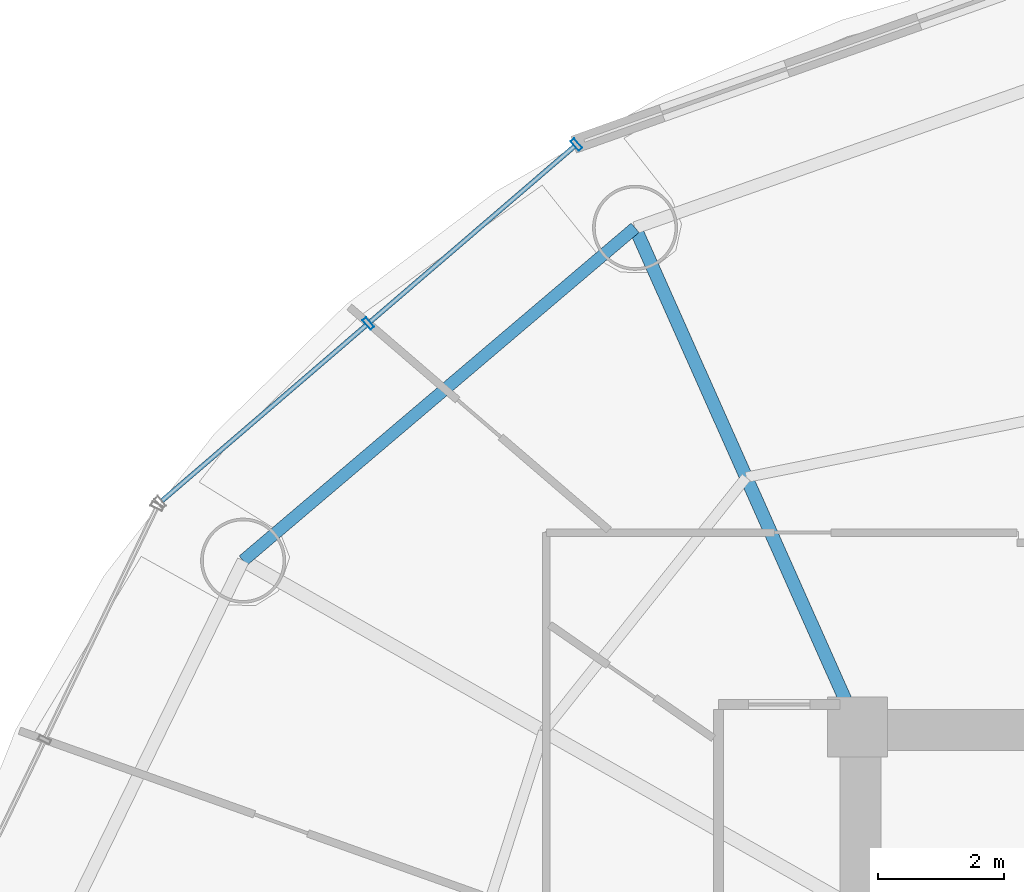
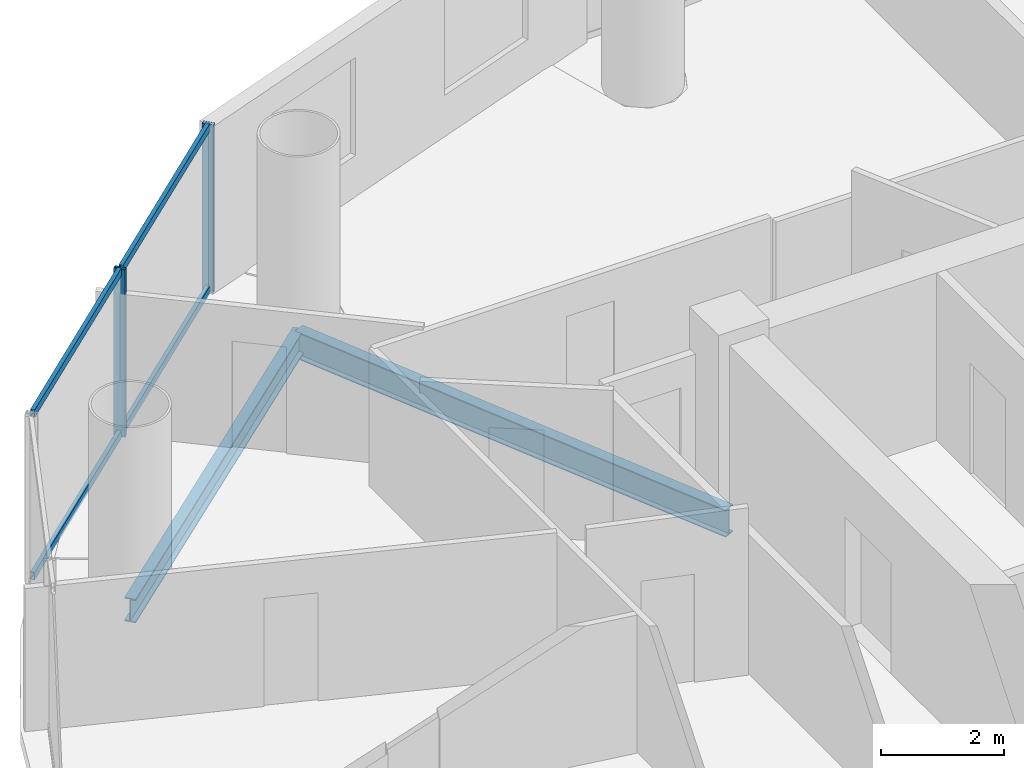
# One storey, part 14 of 26: 6 members, 2 beams, 1 element without a shape of its own.
"""IFC4 building model written with IfcOpenShell, lengths in metres."""

from ifc_helpers import new_model, si_unit, direction, frame, origin, origin_2d, place, context, subcontext, project, spatial, hollow_rectangle, i_section, extrude, source, transform, mapped, material, material_profile, profile_set, type_object, element, aggregate, save


model = new_model("IFC4")

# Units and contexts
model_context = context("Model", 3, precision=1e-05, world=origin(), true_north=direction((-0.2419218956, 0.970295726276)))
body_context = subcontext(model_context, "Body", "Model", "MODEL_VIEW")
ifc_project = project(units=[si_unit("LENGTHUNIT", "METRE"), si_unit("AREAUNIT", "SQUARE_METRE"), si_unit("VOLUMEUNIT", "CUBIC_METRE"), si_unit("PLANEANGLEUNIT", "RADIAN"), si_unit("MASSUNIT", "GRAM", prefix="KILO")], contexts=[model_context])

# Site, building, storey
site_placement = place(None, origin())
site = spatial("IfcSite", under=ifc_project, at=site_placement, CompositionType="ELEMENT")
building_placement = place(site_placement, origin())
building = spatial("IfcBuilding", under=site, at=building_placement, Name="Cobrevalo Terracotta Tower", CompositionType="ELEMENT")
storey_placement = place(building_placement, frame((0.0, 0.0, 142.60009765625)))
storey = spatial("IfcBuildingStorey", under=building, at=storey_placement, Name="L37", CompositionType="ELEMENT", Elevation=142.60009765625)

# Beams
ifc_material_1 = material(Name="Steel S355", Category="steel")
ifc_material_profile_1 = material_profile(ifc_material_1, i_section(OverallWidth=0.2109375, OverallDepth=0.5390625, WebThickness=0.01171875, FlangeThickness=0.018798828125, at=origin_2d()), Name="W 530x109")
ifc_profile_set_1 = profile_set([ifc_material_profile_1], Name="Steel S355")
beam_type_1 = type_object("IfcBeamType", Name="Structural Beam W 530x109 (Steel S355)", PredefinedType="BEAM", material=ifc_profile_set_1)
beam_1_placement = place(storey_placement, frame((25.471923828125, 42.72265625, -0.53955078125), z_axis=(0.406804395691, -0.913515289224, 0.0), x_axis=(0.913515289224, 0.406804395691, 0.0)))
element("IfcBeam", 1, at=beam_1_placement, inside=storey, type_object=beam_type_1, Name="L37 radial floor girder 06", PredefinedType="BEAM", context=body_context, shape_type="SweptSolid", body=[
    extrude(i_section(OverallWidth=0.2109375, OverallDepth=0.5390625, WebThickness=0.01171875, FlangeThickness=0.018798828125, at=origin_2d()), origin(), (0.0, 0.0, 1.0), 8.672607421875),
])
ifc_material_profile_2 = material_profile(ifc_material_1, i_section(OverallWidth=0.194091796875, OverallDepth=0.468994140625, WebThickness=0.011474609375, FlangeThickness=0.0205078125, at=origin_2d()), Name="W 460x106")
ifc_profile_set_2 = profile_set([ifc_material_profile_2], Name="Steel S355")
beam_type_2 = type_object("IfcBeamType", Name="Structural Spandrel W 460x106 (Steel S355)", PredefinedType="SPANDREL", material=ifc_profile_set_2)
beam_2_placement = place(storey_placement, frame((25.471923828125, 42.72265625, -0.504638671875), z_axis=(-0.762240337798, -0.647294112003, 0.0), x_axis=(0.647294112003, -0.762240337798, 0.0)))
element("IfcBeam", 2, at=beam_2_placement, inside=storey, type_object=beam_type_2, Name="L37 perimeter ring spandrel 06", PredefinedType="SPANDREL", context=body_context, shape_type="SweptSolid", body=[
    extrude(i_section(OverallWidth=0.194091796875, OverallDepth=0.468994140625, WebThickness=0.011474609375, FlangeThickness=0.0205078125, at=origin_2d()), origin(), (0.0, 0.0, 1.0), 8.162353515625),
])

# Curtain wall, members
ifc_material_2 = material(Name="Anodized aluminium", Category="aluminium")
curtain_wall_type = type_object("IfcCurtainWallType", Name="Mid-tower high-wind unitised curtain wall CW-U2", PredefinedType="NOTDEFINED", material=ifc_material_2)
curtain_wall_placement = place(storey_placement, origin())
curtain_wall = element("IfcCurtainWall", 3, at=curtain_wall_placement, inside=storey, type_object=curtain_wall_type, Name="L37 curtain wall CW-L37-S06", PredefinedType="NOTDEFINED")
ifc_material_profile_3 = material_profile(ifc_material_2, hollow_rectangle(XDim=0.074951171875, YDim=0.14990234375, WallThickness=0.00439453125, at=origin_2d()), Name="CWT 75x150")
ifc_profile_set_3 = profile_set([ifc_material_profile_3], Name="Anodized aluminium")
member_type_1 = type_object("IfcMemberType", Name="Tower unitised aluminium transom 75x150", PredefinedType="USERDEFINED", material=ifc_profile_set_3)
shared_shape_1 = source(origin(), body_context, "Body", "SweptSolid", [
    extrude(hollow_rectangle(XDim=0.074951171875, YDim=0.14990234375, WallThickness=0.00439453125, at=origin_2d()), origin(), (0.0, 0.0, 1.0), 4.276123046875),
])
member_1_placement = place(storey_placement, frame((24.51123046875, 44.017578125, 0.0498046875), z_axis=(-0.758417719247, -0.651768795764, 0.0), x_axis=(0.651768795764, -0.758417719247, 0.0)))
member_1 = element("IfcMember", 4, at=member_1_placement, type_object=member_type_1, Name="CW-L37-S06 transom B01-T1", ObjectType="TRANSOM", PredefinedType="USERDEFINED", context=body_context, shape_type="MappedRepresentation", body=[
    mapped(shared_shape_1, transform((0.0, 0.0, 0.0), scale=1.0)),
])
member_2_placement = place(storey_placement, frame((24.51123046875, 44.017578125, 3.27978515625), z_axis=(-0.758417719247, -0.651768795764, 0.0), x_axis=(0.651768795764, -0.758417719247, 0.0)))
member_2 = element("IfcMember", 5, at=member_2_placement, type_object=member_type_1, Name="CW-L37-S06 transom B01-T2", ObjectType="TRANSOM", PredefinedType="USERDEFINED", context=body_context, shape_type="MappedRepresentation", body=[
    mapped(shared_shape_1, transform((0.0, 0.0, 0.0), scale=1.0)),
])
member_3_placement = place(storey_placement, frame((21.207275390625, 41.17822265625, 0.0498046875), z_axis=(-0.758445941187, -0.65173595443, 0.0), x_axis=(0.65173595443, -0.758445941187, 0.0)))
member_3 = element("IfcMember", 6, at=member_3_placement, type_object=member_type_1, Name="CW-L37-S06 transom B02-T1", ObjectType="TRANSOM", PredefinedType="USERDEFINED", context=body_context, shape_type="MappedRepresentation", body=[
    mapped(shared_shape_1, transform((0.0, 0.0, 0.0), scale=1.0)),
])
member_4_placement = place(storey_placement, frame((21.207275390625, 41.17822265625, 3.27978515625), z_axis=(-0.758445941187, -0.65173595443, 0.0), x_axis=(0.65173595443, -0.758445941187, 0.0)))
member_4 = element("IfcMember", 7, at=member_4_placement, type_object=member_type_1, Name="CW-L37-S06 transom B02-T2", ObjectType="TRANSOM", PredefinedType="USERDEFINED", context=body_context, shape_type="MappedRepresentation", body=[
    mapped(shared_shape_1, transform((0.0, 0.0, 0.0), scale=1.0)),
])
ifc_material_profile_4 = material_profile(ifc_material_2, hollow_rectangle(XDim=0.074951171875, YDim=0.199951171875, WallThickness=0.0048828125, at=origin_2d()), Name="CWM 75x200")
ifc_profile_set_4 = profile_set([ifc_material_profile_4], Name="Anodized aluminium")
member_type_2 = type_object("IfcMemberType", Name="Lower/mid tower unitised mullion 75x200", PredefinedType="MULLION", material=ifc_profile_set_4)
shared_shape_2 = source(origin(), body_context, "Body", "SweptSolid", [
    extrude(hollow_rectangle(XDim=0.074951171875, YDim=0.199951171875, WallThickness=0.0048828125, at=origin_2d()), origin(), (0.0, 0.0, 1.0), 3.329833984375),
])
member_5_placement = place(storey_placement, frame((24.54150390625, 44.04345703125, 0.0), z_axis=(0.0, 0.0, 1.0), x_axis=(-0.758441546142, -0.65174106905, 0.0)))
member_5 = element("IfcMember", 8, at=member_5_placement, type_object=member_type_2, Name="CW-L37-S06 vertical mullion 01", PredefinedType="MULLION", context=body_context, shape_type="MappedRepresentation", body=[
    mapped(shared_shape_2, transform((0.0, 0.0, 0.0), scale=1.0)),
])
member_6_placement = place(storey_placement, frame((21.237548828125, 41.204345703125, 0.0), z_axis=(0.0, 0.0, 1.0), x_axis=(-0.758441546142, -0.65174106905, 0.0)))
member_6 = element("IfcMember", 9, at=member_6_placement, type_object=member_type_2, Name="CW-L37-S06 vertical mullion 02", PredefinedType="MULLION", context=body_context, shape_type="MappedRepresentation", body=[
    mapped(shared_shape_2, transform((0.0, 0.0, 0.0), scale=1.0)),
])
aggregate(curtain_wall, [member_5, member_6, member_1, member_2, member_3, member_4])

save(model, "model.ifc")
